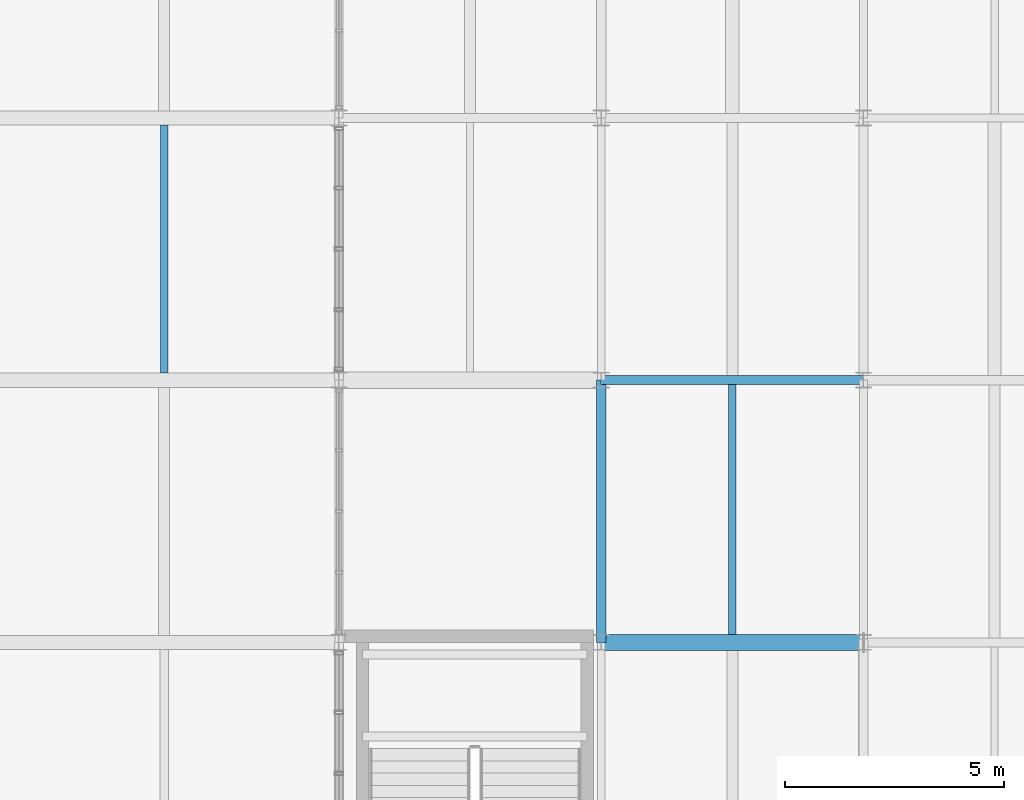
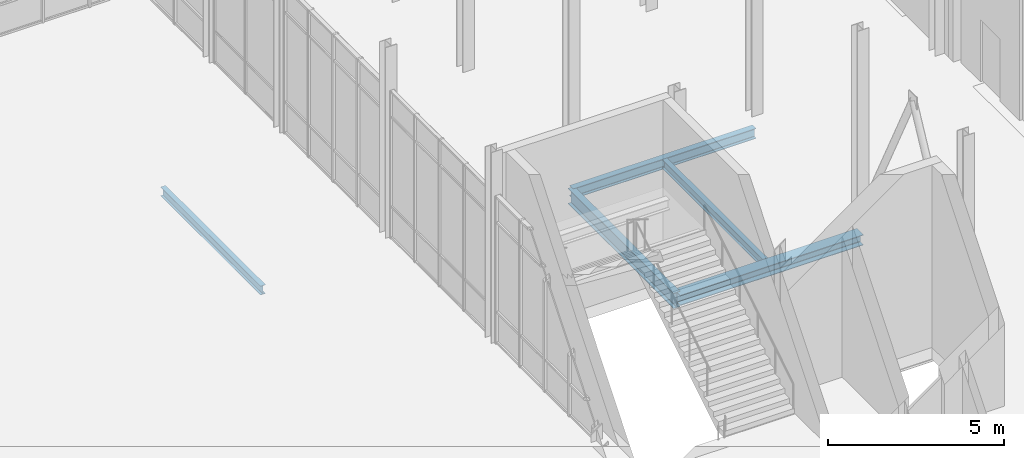
# One storey, part 82 of 140: 5 beams.
"""IFC4 building model written with IfcOpenShell, lengths in metres."""

from ifc_helpers import new_model, si_unit, direction, frame, origin, origin_2d, place, context, subcontext, project, spatial, i_section, extrude, material, material_profile, profile_set, type_object, element, save


model = new_model("IFC4")

# Units and contexts
model_context = context("Model", 3, precision=1e-05, world=origin(), true_north=direction((0.0, 1.0)))
body_context = subcontext(model_context, "Body", "Model", "MODEL_VIEW")
ifc_project = project(units=[si_unit("LENGTHUNIT", "METRE"), si_unit("AREAUNIT", "SQUARE_METRE"), si_unit("VOLUMEUNIT", "CUBIC_METRE"), si_unit("PLANEANGLEUNIT", "RADIAN"), si_unit("MASSUNIT", "GRAM", prefix="KILO")], contexts=[model_context])

# Site, building, storey
site_placement = place(None, origin())
site = spatial("IfcSite", under=ifc_project, at=site_placement, CompositionType="ELEMENT")
building_placement = place(site_placement, origin())
building = spatial("IfcBuilding", under=site, at=building_placement, Name="Verrall Gate Interchange", CompositionType="ELEMENT")
storey_placement = place(building_placement, origin())
storey = spatial("IfcBuildingStorey", under=building, at=storey_placement, Name="L01", CompositionType="ELEMENT", Elevation=0.0)

# Beams
ifc_material_1 = material(Name="Structural Steel CSA G40.21 350W", Category="steel")
ifc_material_profile_1 = material_profile(ifc_material_1, i_section(OverallWidth=0.2109375, OverallDepth=0.5390625, WebThickness=0.01171875, FlangeThickness=0.018798828125, FilletRadius=0.013916015625, at=origin_2d()), Name="W530x109")
ifc_profile_set_1 = profile_set([ifc_material_profile_1], Name="Structural Steel CSA G40.21 350W")
beam_type_1 = type_object("IfcBeamType", Name="B-10 Structural Beam W530x109", PredefinedType="BEAM", material=ifc_profile_set_1)
beam_1_placement = place(storey_placement, frame((138.0, 28.0, -0.76953125), z_axis=(0.0, 1.0, 0.0), x_axis=(-1.0, 0.0, 0.0)))
element("IfcBeam", 1, at=beam_1_placement, inside=storey, type_object=beam_type_1, Name="L01 Girder BM-L01-1206 (B-10)", PredefinedType="BEAM", context=body_context, shape_type="SweptSolid", body=[
    extrude(i_section(OverallWidth=0.2109375, OverallDepth=0.5390625, WebThickness=0.01171875, FlangeThickness=0.018798828125, FilletRadius=0.013916015625, at=origin_2d()), origin(), (0.0, 0.0, 1.0), 6.0),
])
ifc_material_2 = material(Name="Structural Steel CSA G40.21 350W", Category="steel")
ifc_material_profile_2 = material_profile(ifc_material_2, i_section(OverallWidth=0.368896484375, OverallDepth=0.35595703125, WebThickness=0.01123046875, FlangeThickness=0.01806640625, FilletRadius=0.014892578125, at=origin_2d()), Name="W360x134")
ifc_profile_set_2 = profile_set([ifc_material_profile_2], Name="Structural Steel CSA G40.21 350W")
beam_type_2 = type_object("IfcBeamType", Name="B-13 Structural Beam W360x134", PredefinedType="BEAM", material=ifc_profile_set_2)
beam_2_placement = place(storey_placement, frame((138.0, 28.0, -0.677978515625), z_axis=(1.0, 0.0, 0.0), x_axis=(0.0, 1.0, 0.0)))
element("IfcBeam", 2, at=beam_2_placement, inside=storey, type_object=beam_type_2, Name="L01 Girder BM-L01-0842 (B-13)", PredefinedType="BEAM", context=body_context, shape_type="SweptSolid", body=[
    extrude(i_section(OverallWidth=0.368896484375, OverallDepth=0.35595703125, WebThickness=0.01123046875, FlangeThickness=0.01806640625, FilletRadius=0.014892578125, at=origin_2d()), origin(), (0.0, 0.0, 1.0), 6.0),
])
ifc_material_3 = material(Name="Structural Steel CSA G40.21 350W", Category="steel")
ifc_material_profile_3 = material_profile(ifc_material_3, i_section(OverallWidth=0.205078125, OverallDepth=0.35400390625, WebThickness=0.009521484375, FlangeThickness=0.016845703125, FilletRadius=0.012939453125, at=origin_2d()), Name="W360x79")
ifc_profile_set_3 = profile_set([ifc_material_profile_3], Name="Structural Steel CSA G40.21 350W")
beam_type_3 = type_object("IfcBeamType", Name="B-14 Structural Beam W360x79", PredefinedType="BEAM", material=ifc_profile_set_3)
beam_3_placement = place(storey_placement, frame((138.0, 34.0, -0.677001953125), z_axis=(1.0, 0.0, 0.0), x_axis=(0.0, 1.0, 0.0)))
element("IfcBeam", 3, at=beam_3_placement, inside=storey, type_object=beam_type_3, Name="L01 Girder BM-L01-0864 (B-14)", PredefinedType="BEAM", context=body_context, shape_type="SweptSolid", body=[
    extrude(i_section(OverallWidth=0.205078125, OverallDepth=0.35400390625, WebThickness=0.009521484375, FlangeThickness=0.016845703125, FilletRadius=0.012939453125, at=origin_2d()), origin(), (0.0, 0.0, 1.0), 6.0),
])
ifc_material_4 = material(Name="Structural Steel CSA G40.21 350W", Category="steel")
ifc_material_profile_4 = material_profile(ifc_material_4, i_section(OverallWidth=0.1650390625, OverallDepth=0.31005859375, WebThickness=0.005859375, FlangeThickness=0.009765625, FilletRadius=0.010009765625, at=origin_2d()), Name="W310x39")
ifc_profile_set_4 = profile_set([ifc_material_profile_4], Name="Structural Steel CSA G40.21 350W")
beam_type_4 = type_object("IfcBeamType", Name="J-04 Floor Joist W310x39", PredefinedType="JOIST", material=ifc_profile_set_4)
beam_4_placement = place(storey_placement, frame((141.0, 28.1845703125, -0.655029296875), z_axis=(0.0, 1.0, 0.0), x_axis=(-1.0, 0.0, 0.0)))
element("IfcBeam", 4, at=beam_4_placement, inside=storey, type_object=beam_type_4, Name="L01 Secondary Floor Joist JST-L01-1341", PredefinedType="JOIST", context=body_context, shape_type="SweptSolid", body=[
    extrude(i_section(OverallWidth=0.1650390625, OverallDepth=0.31005859375, WebThickness=0.005859375, FlangeThickness=0.009765625, FilletRadius=0.010009765625, at=origin_2d()), origin(), (0.0, 0.0, 1.0), 5.712890625),
])
beam_5_placement = place(storey_placement, frame((128.0, 34.162109375, -0.655029296875), z_axis=(0.0, 1.0, 0.0), x_axis=(-1.0, 0.0, 0.0)))
element("IfcBeam", 5, at=beam_5_placement, inside=storey, type_object=beam_type_4, Name="L01 Secondary Floor Joist JST-L01-1357", PredefinedType="JOIST", context=body_context, shape_type="SweptSolid", body=[
    extrude(i_section(OverallWidth=0.1650390625, OverallDepth=0.31005859375, WebThickness=0.005859375, FlangeThickness=0.009765625, FilletRadius=0.010009765625, at=origin_2d()), origin(), (0.0, 0.0, 1.0), 5.67578125),
])

save(model, "model.ifc")
